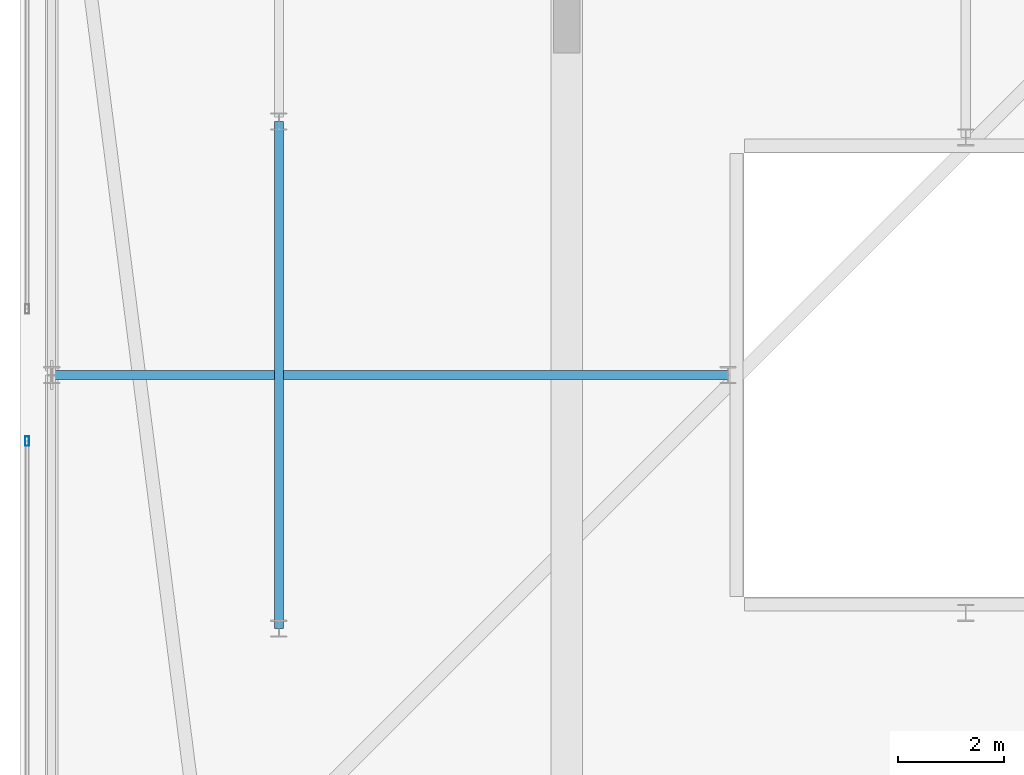
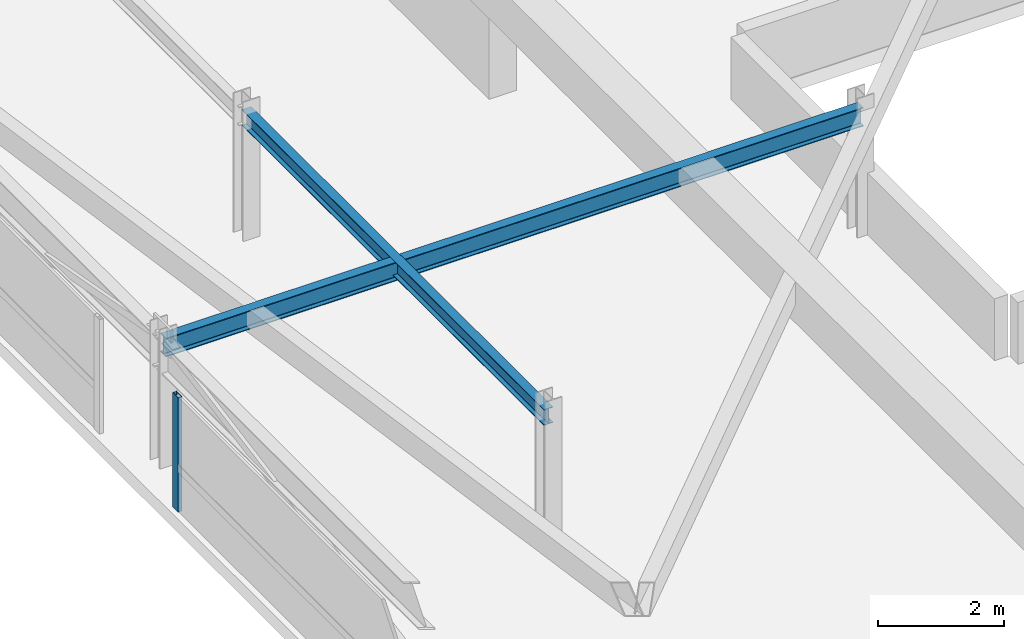
# One storey, part 14 of 44: 2 beams, 1 member, 1 element without a shape of its own.
"""IFC4 building model written with IfcOpenShell, lengths in metres."""

from ifc_helpers import new_model, si_unit, direction, frame, origin, origin_2d, place, context, subcontext, project, spatial, hollow_rectangle, i_section, extrude, material, material_profile, profile_set, type_object, element, aggregate, save


model = new_model("IFC4")

# Units and contexts
model_context = context("Model", 3, precision=1e-05, world=origin(), true_north=direction((0.0, 1.0)))
body_context = subcontext(model_context, "Body", "Model", "MODEL_VIEW")
ifc_project = project(units=[si_unit("LENGTHUNIT", "METRE"), si_unit("AREAUNIT", "SQUARE_METRE"), si_unit("VOLUMEUNIT", "CUBIC_METRE"), si_unit("PLANEANGLEUNIT", "RADIAN"), si_unit("MASSUNIT", "GRAM", prefix="KILO")], contexts=[model_context])

# Site, building, storey
site_placement = place(None, origin())
site = spatial("IfcSite", under=ifc_project, at=site_placement, CompositionType="ELEMENT")
building_placement = place(site_placement, origin())
building = spatial("IfcBuilding", under=site, at=building_placement, Name="Thornwick Lancets Civic Towers", CompositionType="ELEMENT")
storey_placement = place(building_placement, frame((0.0, 0.0, 294.89990234375)))
storey = spatial("IfcBuildingStorey", under=building, at=storey_placement, Name="C06", CompositionType="ELEMENT", Elevation=294.89990234375)

# Beams
ifc_material_1 = material(Name="Steel S355JR", Category="steel")
ifc_material_profile_1 = material_profile(ifc_material_1, i_section(OverallWidth=0.173095703125, OverallDepth=0.36328125, WebThickness=0.009033203125, FlangeThickness=0.015625, FilletRadius=0.01025390625, at=origin_2d()), Name="UKB 356x171x67")
ifc_profile_set_1 = profile_set([ifc_material_profile_1], Name="Steel S355JR")
beam_type_1 = type_object("IfcBeamType", Name="BM_JOIST_356_67", PredefinedType="JOIST", material=ifc_profile_set_1)
beam_1_placement = place(storey_placement, frame((21.0, 27.0, 2.25830078125), z_axis=(-1.0, 0.0, 0.0), x_axis=(0.0, -1.0, 0.0)))
element("IfcBeam", 1, at=beam_1_placement, inside=storey, type_object=beam_type_1, Name="BM-RADIN-C06-A11", PredefinedType="JOIST", context=body_context, shape_type="SweptSolid", body=[
    extrude(i_section(OverallWidth=0.173095703125, OverallDepth=0.36328125, WebThickness=0.009033203125, FlangeThickness=0.015625, FilletRadius=0.01025390625, at=origin_2d()), origin(), (0.0, 0.0, 1.0), 12.800048828125),
])
ifc_material_profile_2 = material_profile(ifc_material_1, i_section(OverallWidth=0.1669921875, OverallDepth=0.310302734375, WebThickness=0.0078125, FlangeThickness=0.013671875, FilletRadius=0.0087890625, at=origin_2d()), Name="UKB 305x165x54")
ifc_profile_set_2 = profile_set([ifc_material_profile_2], Name="Steel S355JR")
beam_type_2 = type_object("IfcBeamType", Name="BM_LINTEL_305_54", PredefinedType="LINTEL", material=ifc_profile_set_2)
beam_2_placement = place(storey_placement, frame((12.5, 22.199951171875, 2.284912109375), z_axis=(0.0, 1.0, 0.0), x_axis=(-1.0, 0.0, 0.0)))
element("IfcBeam", 2, at=beam_2_placement, inside=storey, type_object=beam_type_2, Name="BM-INSP-C06-A-0-2", PredefinedType="LINTEL", context=body_context, shape_type="SweptSolid", body=[
    extrude(i_section(OverallWidth=0.1669921875, OverallDepth=0.310302734375, WebThickness=0.0078125, FlangeThickness=0.013671875, FilletRadius=0.0087890625, at=origin_2d()), origin(), (0.0, 0.0, 1.0), 9.60009765625),
])

# Curtain wall, member
ifc_material_2 = material(Name="Crown ring acoustic-louvre and glazing screen wall", Category="glass")
curtain_wall_type = type_object("IfcCurtainWallType", Name="CW_SYS_07", PredefinedType="NOTDEFINED", material=ifc_material_2)
curtain_wall_placement = place(storey_placement, origin())
curtain_wall = element("IfcCurtainWall", 3, at=curtain_wall_placement, inside=storey, type_object=curtain_wall_type, Name="C06 Curtain Wall CW-C06-A-E6-S2", PredefinedType="NOTDEFINED")
ifc_material_3 = material(Name="Thermally broken bronze aluminium S355", Category="steel")
ifc_material_profile_3 = material_profile(ifc_material_3, hollow_rectangle(XDim=0.074951171875, YDim=0.179931640625, WallThickness=0.006103515625, at=origin_2d()), Name="RHS 180x75x6")
ifc_profile_set_3 = profile_set([ifc_material_profile_3], Name="Thermally broken bronze aluminium S355")
member_type = type_object("IfcMemberType", Name="CW_MUL_180", PredefinedType="MULLION", material=ifc_profile_set_3)
member_placement = place(storey_placement, frame((7.7353515625, 25.75, 0.0), z_axis=(0.0, 0.0, 1.0), x_axis=(1.0, 0.0, 0.0)))
member = element("IfcMember", 4, at=member_placement, type_object=member_type, Name="CW-C06-A-E6-S2 Mullion 0", PredefinedType="MULLION", context=body_context, shape_type="SweptSolid", body=[
    extrude(hollow_rectangle(XDim=0.074951171875, YDim=0.179931640625, WallThickness=0.006103515625, at=origin_2d()), origin(), (0.0, 0.0, 1.0), 2.22021484375),
])
aggregate(curtain_wall, [member])

save(model, "model.ifc")
